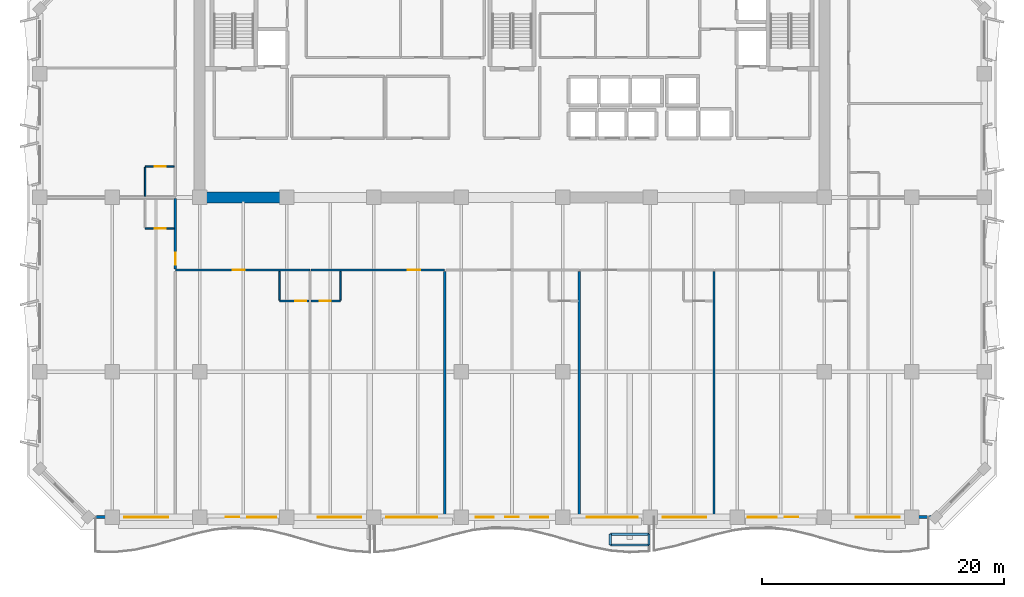
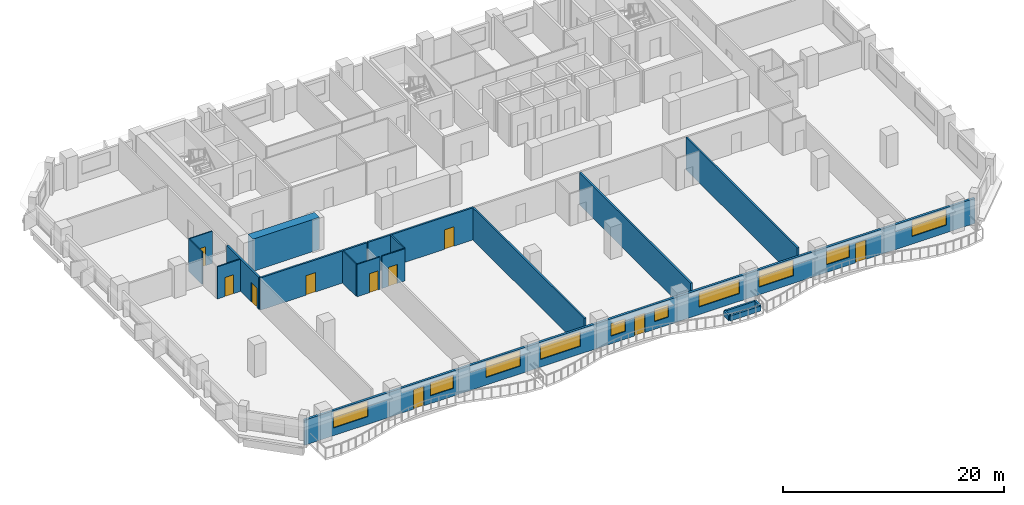
# One storey, part 4 of 14: 19 walls, 10 doors, 10 windows, 20 openings.
"""IFC4 building model written with IfcOpenShell, lengths in metres."""

from ifc_helpers import new_model, si_unit, direction, frame, frame_2d, origin, place, context, subcontext, project, spatial, rectangle, extrude, material, layer, layer_set, type_object, element, fill, save


model = new_model("IFC4")

# Units and contexts
model_context = context("Model", 3, precision=1e-05, world=origin(), true_north=direction((0.0, 1.0)))
body_context = subcontext(model_context, "Body", "Model", "MODEL_VIEW")
ifc_project = project(units=[si_unit("LENGTHUNIT", "METRE"), si_unit("AREAUNIT", "SQUARE_METRE"), si_unit("VOLUMEUNIT", "CUBIC_METRE"), si_unit("PLANEANGLEUNIT", "RADIAN"), si_unit("MASSUNIT", "GRAM", prefix="KILO")], contexts=[model_context])

# Site, building, storey
site_placement = place(None, origin())
site = spatial("IfcSite", under=ifc_project, at=site_placement, CompositionType="ELEMENT")
building_placement = place(site_placement, origin())
building = spatial("IfcBuilding", under=site, at=building_placement, Name="Kaelvorn Grand Hotel", CompositionType="ELEMENT")
storey_placement = place(building_placement, frame((0.0, 0.0, 209.14990234375)))
storey = spatial("IfcBuildingStorey", under=building, at=storey_placement, Name="L51", CompositionType="ELEMENT", Elevation=209.14990234375)

# Wall
ifc_material_1 = material(Name="Concrete C60/75", Category="concrete")
ifc_layer_1 = layer(ifc_material_1, 0.89990234375)
ifc_layer_set_1 = layer_set([ifc_layer_1], Name="Concrete C60/75")
wall_type_1 = type_object("IfcWallType", Name="WL-CORE-900-C60", PredefinedType="SHEAR", material=ifc_layer_set_1)
wall_1_placement = place(storey_placement, frame((16.655029296875, 29.39990234375, 0.0), z_axis=(0.0, 0.0, 1.0), x_axis=(1.0, 0.0, 0.0)))
element("IfcWall", 1, at=wall_1_placement, inside=storey, type_object=wall_type_1, Name="L51 Rear-Core Coupled Shear Pier S1", PredefinedType="SHEAR", context=body_context, shape_type="SweptSolid", body=[
    extrude(rectangle(XDim=6.945068359375, YDim=0.89990234375, at=frame_2d((3.47265625, 0.0))), origin(), (0.0, 0.0, 1.0), 3.56005859375),
])

# Wall, openings, doors, windows
ifc_material_2 = material(Name="Concrete C40/50", Category="concrete")
ifc_layer_2 = layer(ifc_material_2, 0.239990234375)
ifc_layer_set_2 = layer_set([ifc_layer_2], Name="Concrete C40/50")
wall_type_2 = type_object("IfcWallType", Name="WL-EXT-240-C40", PredefinedType="SOLIDWALL", material=ifc_layer_set_2)
wall_2_placement = place(storey_placement, frame((7.0, 3.0, 0.0), z_axis=(0.0, 0.0, 1.0), x_axis=(1.0, 0.0, 0.0)))
wall_2 = element("IfcWall", 2, at=wall_2_placement, inside=storey, type_object=wall_type_2, Name="L51 Exterior Architectural Concrete Wall 01", PredefinedType="SOLIDWALL", context=body_context, shape_type="SweptSolid", body=[
    extrude(rectangle(XDim=70.0, YDim=0.239990234375, at=frame_2d((35.0, 0.0))), origin(), (0.0, 0.0, 1.0), 2.760009765625),
])
opening_1_placement = place(wall_2_placement, frame((11.38330078125, 0.0, 0.0)))
opening_1 = element("IfcOpeningElement", 3, at=opening_1_placement, cuts=wall_2, Name="Opening DE2", PredefinedType="OPENING", context=body_context, shape_type="SweptSolid", body=[
    extrude(rectangle(XDim=1.10009765625, YDim=2.14990234375, at=frame_2d((0.550048828125, 1.074951171875))), frame((0.0, 0.1298828125, 0.0), z_axis=(0.0, -1.0, 0.0), x_axis=(1.0, 0.0, 0.0)), (0.0, 0.0, 1.0), 0.260009765625),
])
opening_2_placement = place(wall_2_placement, frame((34.449951171875, 0.0, 0.0)))
opening_2 = element("IfcOpeningElement", 4, at=opening_2_placement, cuts=wall_2, Name="Opening DE2", PredefinedType="OPENING", context=body_context, shape_type="SweptSolid", body=[
    extrude(rectangle(XDim=1.10009765625, YDim=2.14990234375, at=frame_2d((0.550048828125, 1.074951171875))), frame((0.0, 0.1298828125, 0.0), z_axis=(0.0, -1.0, 0.0), x_axis=(1.0, 0.0, 0.0)), (0.0, 0.0, 1.0), 0.260009765625),
])
opening_3_placement = place(wall_2_placement, frame((57.5166015625, 0.0, 0.0)))
opening_3 = element("IfcOpeningElement", 5, at=opening_3_placement, cuts=wall_2, Name="Opening DE2", PredefinedType="OPENING", context=body_context, shape_type="SweptSolid", body=[
    extrude(rectangle(XDim=1.10009765625, YDim=2.14990234375, at=frame_2d((0.550048828125, 1.074951171875))), frame((0.0, 0.1298828125, 0.0), z_axis=(0.0, -1.0, 0.0), x_axis=(1.0, 0.0, 0.0)), (0.0, 0.0, 1.0), 0.260009765625),
])
opening_4_placement = place(wall_2_placement, frame((3.0, 0.0, 0.85009765625)))
opening_4 = element("IfcOpeningElement", 6, at=opening_4_placement, cuts=wall_2, Name="Opening W3", PredefinedType="OPENING", context=body_context, shape_type="SweptSolid", body=[
    extrude(rectangle(XDim=3.60009765625, YDim=1.75, at=frame_2d((1.800048828125, 0.875))), frame((0.0, 0.1298828125, 0.0), z_axis=(0.0, -1.0, 0.0), x_axis=(1.0, 0.0, 0.0)), (0.0, 0.0, 1.0), 0.260009765625),
])
opening_5_placement = place(wall_2_placement, frame((13.126708984375, 0.0, 0.85009765625)))
opening_5 = element("IfcOpeningElement", 7, at=opening_5_placement, cuts=wall_2, Name="Opening W6", PredefinedType="OPENING", context=body_context, shape_type="SweptSolid", body=[
    extrude(rectangle(XDim=2.39990234375, YDim=1.5, at=frame_2d((1.199951171875, 0.75))), frame((0.0, 0.1298828125, 0.0), z_axis=(0.0, -1.0, 0.0), x_axis=(1.0, 0.0, 0.0)), (0.0, 0.0, 1.0), 0.260009765625),
])
opening_6_placement = place(wall_2_placement, frame((18.9599609375, 0.0, 0.85009765625)))
opening_6 = element("IfcOpeningElement", 8, at=opening_6_placement, cuts=wall_2, Name="Opening W3", PredefinedType="OPENING", context=body_context, shape_type="SweptSolid", body=[
    extrude(rectangle(XDim=3.60009765625, YDim=1.75, at=frame_2d((1.800048828125, 0.875))), frame((0.0, 0.1298828125, 0.0), z_axis=(0.0, -1.0, 0.0), x_axis=(1.0, 0.0, 0.0)), (0.0, 0.0, 1.0), 0.260009765625),
])
opening_7_placement = place(wall_2_placement, frame((24.6201171875, 0.0, 0.85009765625)))
opening_7 = element("IfcOpeningElement", 9, at=opening_7_placement, cuts=wall_2, Name="Opening W2", PredefinedType="OPENING", context=body_context, shape_type="SweptSolid", body=[
    extrude(rectangle(XDim=4.199951171875, YDim=1.64990234375, at=frame_2d((2.10009765625, 0.824951171875))), frame((0.0, 0.1298828125, 0.0), z_axis=(0.0, -1.0, 0.0), x_axis=(1.0, 0.0, 0.0)), (0.0, 0.0, 1.0), 0.260009765625),
])
opening_8_placement = place(wall_2_placement, frame((31.989990234375, 0.0, 0.85009765625)))
opening_8 = element("IfcOpeningElement", 10, at=opening_8_placement, cuts=wall_2, Name="Opening W10", PredefinedType="OPENING", context=body_context, shape_type="SweptSolid", body=[
    extrude(rectangle(XDim=1.5, YDim=1.39990234375, at=frame_2d((0.75, 0.699951171875))), frame((0.0, 0.1298828125, 0.0), z_axis=(0.0, -1.0, 0.0), x_axis=(1.0, 0.0, 0.0)), (0.0, 0.0, 1.0), 0.260009765625),
])
opening_9_placement = place(wall_2_placement, frame((36.510009765625, 0.0, 0.85009765625)))
opening_9 = element("IfcOpeningElement", 11, at=opening_9_placement, cuts=wall_2, Name="Opening W10", PredefinedType="OPENING", context=body_context, shape_type="SweptSolid", body=[
    extrude(rectangle(XDim=1.5, YDim=1.39990234375, at=frame_2d((0.75, 0.699951171875))), frame((0.0, 0.1298828125, 0.0), z_axis=(0.0, -1.0, 0.0), x_axis=(1.0, 0.0, 0.0)), (0.0, 0.0, 1.0), 0.260009765625),
])
opening_10_placement = place(wall_2_placement, frame((41.179931640625, 0.0, 0.85009765625)))
opening_10 = element("IfcOpeningElement", 12, at=opening_10_placement, cuts=wall_2, Name="Opening W2", PredefinedType="OPENING", context=body_context, shape_type="SweptSolid", body=[
    extrude(rectangle(XDim=4.199951171875, YDim=1.64990234375, at=frame_2d((2.10009765625, 0.824951171875))), frame((0.0, 0.1298828125, 0.0), z_axis=(0.0, -1.0, 0.0), x_axis=(1.0, 0.0, 0.0)), (0.0, 0.0, 1.0), 0.260009765625),
])
opening_11_placement = place(wall_2_placement, frame((47.43994140625, 0.0, 0.85009765625)))
opening_11 = element("IfcOpeningElement", 13, at=opening_11_placement, cuts=wall_2, Name="Opening W3", PredefinedType="OPENING", context=body_context, shape_type="SweptSolid", body=[
    extrude(rectangle(XDim=3.60009765625, YDim=1.75, at=frame_2d((1.800048828125, 0.875))), frame((0.0, 0.1298828125, 0.0), z_axis=(0.0, -1.0, 0.0), x_axis=(1.0, 0.0, 0.0)), (0.0, 0.0, 1.0), 0.260009765625),
])
opening_12_placement = place(wall_2_placement, frame((54.473388671875, 0.0, 0.85009765625)))
opening_12 = element("IfcOpeningElement", 14, at=opening_12_placement, cuts=wall_2, Name="Opening W6", PredefinedType="OPENING", context=body_context, shape_type="SweptSolid", body=[
    extrude(rectangle(XDim=2.39990234375, YDim=1.5, at=frame_2d((1.199951171875, 0.75))), frame((0.0, 0.1298828125, 0.0), z_axis=(0.0, -1.0, 0.0), x_axis=(1.0, 0.0, 0.0)), (0.0, 0.0, 1.0), 0.260009765625),
])
opening_13_placement = place(wall_2_placement, frame((63.39990234375, 0.0, 0.85009765625)))
opening_13 = element("IfcOpeningElement", 15, at=opening_13_placement, cuts=wall_2, Name="Opening W3", PredefinedType="OPENING", context=body_context, shape_type="SweptSolid", body=[
    extrude(rectangle(XDim=3.60009765625, YDim=1.75, at=frame_2d((1.800048828125, 0.875))), frame((0.0, 0.1298828125, 0.0), z_axis=(0.0, -1.0, 0.0), x_axis=(1.0, 0.0, 0.0)), (0.0, 0.0, 1.0), 0.260009765625),
])
ifc_material_3 = material(Name="Anodised Aluminium", Category="aluminium")
door_type_1 = type_object("IfcDoorType", Name="DR-EXT-BALC-1100x2150", OperationType="NOTDEFINED", PredefinedType="DOOR", material=ifc_material_3)
door_1_placement = place(opening_1_placement, origin())
door_1 = element("IfcDoor", 16, at=door_1_placement, inside=storey, type_object=door_type_1, Name="L51 Scalloped Balcony Glazed Door DE2-1", OperationType="SINGLE_SWING_RIGHT", OverallHeight=2.14990234375, OverallWidth=1.10009765625, PredefinedType="DOOR", context=body_context, shape_type="SweptSolid", body=[
    extrude(rectangle(XDim=1.10009765625, YDim=2.14990234375, at=frame_2d((0.550048828125, 1.074951171875))), frame((0.0, 0.02490234375, 0.0), z_axis=(0.0, -1.0, 0.0), x_axis=(1.0, 0.0, 0.0)), (0.0, 0.0, 1.0), 0.050048828125),
])
fill(opening_1, door_1)
door_2_placement = place(opening_2_placement, origin())
door_2 = element("IfcDoor", 17, at=door_2_placement, inside=storey, type_object=door_type_1, Name="L51 Scalloped Balcony Glazed Door DE2-2", OperationType="SINGLE_SWING_LEFT", OverallHeight=2.14990234375, OverallWidth=1.10009765625, PredefinedType="DOOR", context=body_context, shape_type="SweptSolid", body=[
    extrude(rectangle(XDim=1.10009765625, YDim=2.14990234375, at=frame_2d((0.550048828125, 1.074951171875))), frame((0.0, 0.02490234375, 0.0), z_axis=(0.0, -1.0, 0.0), x_axis=(1.0, 0.0, 0.0)), (0.0, 0.0, 1.0), 0.050048828125),
])
fill(opening_2, door_2)
door_3_placement = place(opening_3_placement, origin())
door_3 = element("IfcDoor", 18, at=door_3_placement, inside=storey, type_object=door_type_1, Name="L51 Scalloped Balcony Glazed Door DE2-3", OperationType="SINGLE_SWING_RIGHT", OverallHeight=2.14990234375, OverallWidth=1.10009765625, PredefinedType="DOOR", context=body_context, shape_type="SweptSolid", body=[
    extrude(rectangle(XDim=1.10009765625, YDim=2.14990234375, at=frame_2d((0.550048828125, 1.074951171875))), frame((0.0, 0.02490234375, 0.0), z_axis=(0.0, -1.0, 0.0), x_axis=(1.0, 0.0, 0.0)), (0.0, 0.0, 1.0), 0.050048828125),
])
fill(opening_3, door_3)
ifc_material_4 = material(Name="Laminated Low-E Glass", Category="glass")
window_type_1 = type_object("IfcWindowType", Name="WIN-COR-1500x1400", PartitioningType="SINGLE_PANEL", PredefinedType="WINDOW", material=ifc_material_4)
window_1_placement = place(opening_8_placement, origin())
window_1 = element("IfcWindow", 19, at=window_1_placement, inside=storey, type_object=window_type_1, Name="L51 South Guestroom Ribbon Window SR05", OverallHeight=1.39990234375, OverallWidth=1.5, PartitioningType="SINGLE_PANEL", PredefinedType="WINDOW", context=body_context, shape_type="SweptSolid", body=[
    extrude(rectangle(XDim=1.5, YDim=1.39990234375, at=frame_2d((0.75, 0.699951171875))), frame((0.0, 0.030029296875, 0.0), z_axis=(0.0, -1.0, 0.0), x_axis=(1.0, 0.0, 0.0)), (0.0, 0.0, 1.0), 0.06005859375),
])
fill(opening_8, window_1)
window_2_placement = place(opening_9_placement, origin())
window_2 = element("IfcWindow", 20, at=window_2_placement, inside=storey, type_object=window_type_1, Name="L51 South Guestroom Ribbon Window SR06", OverallHeight=1.39990234375, OverallWidth=1.5, PartitioningType="SINGLE_PANEL", PredefinedType="WINDOW", context=body_context, shape_type="SweptSolid", body=[
    extrude(rectangle(XDim=1.5, YDim=1.39990234375, at=frame_2d((0.75, 0.699951171875))), frame((0.0, 0.030029296875, 0.0), z_axis=(0.0, -1.0, 0.0), x_axis=(1.0, 0.0, 0.0)), (0.0, 0.0, 1.0), 0.06005859375),
])
fill(opening_9, window_2)
window_type_2 = type_object("IfcWindowType", Name="WIN-NTH-2400x1500", PartitioningType="SINGLE_PANEL", PredefinedType="WINDOW", material=ifc_material_4)
window_3_placement = place(opening_5_placement, origin())
window_3 = element("IfcWindow", 21, at=window_3_placement, inside=storey, type_object=window_type_2, Name="L51 South Guestroom Ribbon Window SR02", OverallHeight=1.5, OverallWidth=2.39990234375, PartitioningType="SINGLE_PANEL", PredefinedType="WINDOW", context=body_context, shape_type="SweptSolid", body=[
    extrude(rectangle(XDim=2.39990234375, YDim=1.5, at=frame_2d((1.199951171875, 0.75))), frame((0.0, 0.030029296875, 0.0), z_axis=(0.0, -1.0, 0.0), x_axis=(1.0, 0.0, 0.0)), (0.0, 0.0, 1.0), 0.06005859375),
])
fill(opening_5, window_3)
window_4_placement = place(opening_12_placement, origin())
window_4 = element("IfcWindow", 22, at=window_4_placement, inside=storey, type_object=window_type_2, Name="L51 South Guestroom Ribbon Window SR09", OverallHeight=1.5, OverallWidth=2.39990234375, PartitioningType="SINGLE_PANEL", PredefinedType="WINDOW", context=body_context, shape_type="SweptSolid", body=[
    extrude(rectangle(XDim=2.39990234375, YDim=1.5, at=frame_2d((1.199951171875, 0.75))), frame((0.0, 0.030029296875, 0.0), z_axis=(0.0, -1.0, 0.0), x_axis=(1.0, 0.0, 0.0)), (0.0, 0.0, 1.0), 0.06005859375),
])
fill(opening_12, window_4)
window_type_3 = type_object("IfcWindowType", Name="WIN-RIB-3600x1750", PartitioningType="SINGLE_PANEL", PredefinedType="WINDOW", material=ifc_material_4)
window_5_placement = place(opening_4_placement, origin())
window_5 = element("IfcWindow", 23, at=window_5_placement, inside=storey, type_object=window_type_3, Name="L51 South Guestroom Ribbon Window SR01", OverallHeight=1.75, OverallWidth=3.60009765625, PartitioningType="SINGLE_PANEL", PredefinedType="WINDOW", context=body_context, shape_type="SweptSolid", body=[
    extrude(rectangle(XDim=3.60009765625, YDim=1.75, at=frame_2d((1.800048828125, 0.875))), frame((0.0, 0.030029296875, 0.0), z_axis=(0.0, -1.0, 0.0), x_axis=(1.0, 0.0, 0.0)), (0.0, 0.0, 1.0), 0.06005859375),
])
fill(opening_4, window_5)
window_6_placement = place(opening_6_placement, origin())
window_6 = element("IfcWindow", 24, at=window_6_placement, inside=storey, type_object=window_type_3, Name="L51 South Guestroom Ribbon Window SR03", OverallHeight=1.75, OverallWidth=3.60009765625, PartitioningType="SINGLE_PANEL", PredefinedType="WINDOW", context=body_context, shape_type="SweptSolid", body=[
    extrude(rectangle(XDim=3.60009765625, YDim=1.75, at=frame_2d((1.800048828125, 0.875))), frame((0.0, 0.030029296875, 0.0), z_axis=(0.0, -1.0, 0.0), x_axis=(1.0, 0.0, 0.0)), (0.0, 0.0, 1.0), 0.06005859375),
])
fill(opening_6, window_6)
window_7_placement = place(opening_11_placement, origin())
window_7 = element("IfcWindow", 25, at=window_7_placement, inside=storey, type_object=window_type_3, Name="L51 South Guestroom Ribbon Window SR08", OverallHeight=1.75, OverallWidth=3.60009765625, PartitioningType="SINGLE_PANEL", PredefinedType="WINDOW", context=body_context, shape_type="SweptSolid", body=[
    extrude(rectangle(XDim=3.60009765625, YDim=1.75, at=frame_2d((1.800048828125, 0.875))), frame((0.0, 0.030029296875, 0.0), z_axis=(0.0, -1.0, 0.0), x_axis=(1.0, 0.0, 0.0)), (0.0, 0.0, 1.0), 0.06005859375),
])
fill(opening_11, window_7)
window_8_placement = place(opening_13_placement, origin())
window_8 = element("IfcWindow", 26, at=window_8_placement, inside=storey, type_object=window_type_3, Name="L51 South Guestroom Ribbon Window SR10", OverallHeight=1.75, OverallWidth=3.60009765625, PartitioningType="SINGLE_PANEL", PredefinedType="WINDOW", context=body_context, shape_type="SweptSolid", body=[
    extrude(rectangle(XDim=3.60009765625, YDim=1.75, at=frame_2d((1.800048828125, 0.875))), frame((0.0, 0.030029296875, 0.0), z_axis=(0.0, -1.0, 0.0), x_axis=(1.0, 0.0, 0.0)), (0.0, 0.0, 1.0), 0.06005859375),
])
fill(opening_13, window_8)
window_type_4 = type_object("IfcWindowType", Name="WIN-RIB-4200x1650", PartitioningType="SINGLE_PANEL", PredefinedType="WINDOW", material=ifc_material_4)
window_9_placement = place(opening_7_placement, origin())
window_9 = element("IfcWindow", 27, at=window_9_placement, inside=storey, type_object=window_type_4, Name="L51 South Guestroom Ribbon Window SR04", OverallHeight=1.64990234375, OverallWidth=4.199951171875, PartitioningType="SINGLE_PANEL", PredefinedType="WINDOW", context=body_context, shape_type="SweptSolid", body=[
    extrude(rectangle(XDim=4.199951171875, YDim=1.64990234375, at=frame_2d((2.10009765625, 0.824951171875))), frame((0.0, 0.030029296875, 0.0), z_axis=(0.0, -1.0, 0.0), x_axis=(1.0, 0.0, 0.0)), (0.0, 0.0, 1.0), 0.06005859375),
])
fill(opening_7, window_9)
window_10_placement = place(opening_10_placement, origin())
window_10 = element("IfcWindow", 28, at=window_10_placement, inside=storey, type_object=window_type_4, Name="L51 South Guestroom Ribbon Window SR07", OverallHeight=1.64990234375, OverallWidth=4.199951171875, PartitioningType="SINGLE_PANEL", PredefinedType="WINDOW", context=body_context, shape_type="SweptSolid", body=[
    extrude(rectangle(XDim=4.199951171875, YDim=1.64990234375, at=frame_2d((2.10009765625, 0.824951171875))), frame((0.0, 0.030029296875, 0.0), z_axis=(0.0, -1.0, 0.0), x_axis=(1.0, 0.0, 0.0)), (0.0, 0.0, 1.0), 0.06005859375),
])
fill(opening_10, window_10)

# Wall, opening, door
ifc_material_5 = material(Name="Moisture-Resistant Tile & Stud Board")
ifc_layer_3 = layer(ifc_material_5, 0.125)
ifc_layer_set_3 = layer_set([ifc_layer_3], Name="Moisture-Resistant Tile & Stud Board")
wall_type_3 = type_object("IfcWallType", Name="WL-PART-125-WET", PredefinedType="PARTITIONING", material=ifc_layer_set_3)
wall_3_placement = place(storey_placement, frame((22.820068359375, 20.85009765625, 0.0), z_axis=(0.0, 0.0, 1.0), x_axis=(1.0, 0.0, 0.0)))
wall_3 = element("IfcWall", 29, at=wall_3_placement, inside=storey, type_object=wall_type_3, Name="L51 En-suite Bathroom L51-01 S Partition", PredefinedType="PARTITIONING", context=body_context, shape_type="SweptSolid", body=[
    extrude(rectangle(XDim=2.405029296875, YDim=0.125, at=frame_2d((1.20263671875, 0.0))), origin(), (0.0, 0.0, 1.0), 3.56005859375),
])
opening_14_placement = place(wall_3_placement, frame((1.300048828125, 0.0, 0.0)))
opening_14 = element("IfcOpeningElement", 30, at=opening_14_placement, cuts=wall_3, Name="Opening DI4", PredefinedType="OPENING", context=body_context, shape_type="SweptSolid", body=[
    extrude(rectangle(XDim=0.89990234375, YDim=2.10009765625, at=frame_2d((0.449951171875, 1.050048828125))), frame((0.0, 0.072509765625, 0.0), z_axis=(0.0, -1.0, 0.0), x_axis=(1.0, 0.0, 0.0)), (0.0, 0.0, 1.0), 0.14501953125),
])
ifc_material_6 = material(Name="Timber Veneer Leaf", Category="wood")
door_type_2 = type_object("IfcDoorType", Name="DR-INT-BATH-900x2100", OperationType="NOTDEFINED", PredefinedType="DOOR", material=ifc_material_6)
door_4_placement = place(opening_14_placement, origin())
door_4 = element("IfcDoor", 31, at=door_4_placement, inside=storey, type_object=door_type_2, Name="L51 En-suite Bathroom L51-01 Door", OperationType="SINGLE_SWING_LEFT", OverallHeight=2.10009765625, OverallWidth=0.89990234375, PredefinedType="DOOR", context=body_context, shape_type="SweptSolid", body=[
    extrude(rectangle(XDim=0.89990234375, YDim=2.10009765625, at=frame_2d((0.449951171875, 1.050048828125))), frame((0.0, 0.02490234375, 0.0), z_axis=(0.0, -1.0, 0.0), x_axis=(1.0, 0.0, 0.0)), (0.0, 0.0, 1.0), 0.050048828125),
])
fill(opening_14, door_4)

# Wall
wall_4_placement = place(storey_placement, frame((22.820068359375, 20.91748046875, 0.0), z_axis=(0.0, 0.0, 1.0), x_axis=(0.0, 1.0, 0.0)))
element("IfcWall", 32, at=wall_4_placement, inside=storey, type_object=wall_type_3, Name="L51 En-suite Bathroom L51-01 W Partition", PredefinedType="PARTITIONING", context=body_context, shape_type="SweptSolid", body=[
    extrude(rectangle(XDim=2.387451171875, YDim=0.125, at=frame_2d((1.19384765625, 0.0))), origin(), (0.0, 0.0, 1.0), 3.56005859375),
])

# Wall, opening, door
wall_5_placement = place(storey_placement, frame((25.4150390625, 20.85009765625, 0.0), z_axis=(0.0, 0.0, 1.0), x_axis=(1.0, 0.0, 0.0)))
wall_5 = element("IfcWall", 33, at=wall_5_placement, inside=storey, type_object=wall_type_3, Name="L51 En-suite Bathroom L51-02 S Partition", PredefinedType="PARTITIONING", context=body_context, shape_type="SweptSolid", body=[
    extrude(rectangle(XDim=2.405029296875, YDim=0.125, at=frame_2d((1.20263671875, 0.0))), origin(), (0.0, 0.0, 1.0), 3.56005859375),
])
opening_15_placement = place(wall_5_placement, frame((0.705078125, 0.0, 0.0)))
opening_15 = element("IfcOpeningElement", 34, at=opening_15_placement, cuts=wall_5, Name="Opening DI4", PredefinedType="OPENING", context=body_context, shape_type="SweptSolid", body=[
    extrude(rectangle(XDim=0.89990234375, YDim=2.10009765625, at=frame_2d((0.449951171875, 1.050048828125))), frame((0.0, 0.072509765625, 0.0), z_axis=(0.0, -1.0, 0.0), x_axis=(1.0, 0.0, 0.0)), (0.0, 0.0, 1.0), 0.14501953125),
])
door_5_placement = place(opening_15_placement, origin())
door_5 = element("IfcDoor", 35, at=door_5_placement, inside=storey, type_object=door_type_2, Name="L51 En-suite Bathroom L51-02 Door", OperationType="SINGLE_SWING_LEFT", OverallHeight=2.10009765625, OverallWidth=0.89990234375, PredefinedType="DOOR", context=body_context, shape_type="SweptSolid", body=[
    extrude(rectangle(XDim=0.89990234375, YDim=2.10009765625, at=frame_2d((0.449951171875, 1.050048828125))), frame((0.0, 0.02490234375, 0.0), z_axis=(0.0, -1.0, 0.0), x_axis=(1.0, 0.0, 0.0)), (0.0, 0.0, 1.0), 0.050048828125),
])
fill(opening_15, door_5)

# Wall
wall_6_placement = place(storey_placement, frame((27.820068359375, 20.91748046875, 0.0), z_axis=(0.0, 0.0, 1.0), x_axis=(0.0, 1.0, 0.0)))
element("IfcWall", 36, at=wall_6_placement, inside=storey, type_object=wall_type_3, Name="L51 En-suite Bathroom L51-02 E Partition", PredefinedType="PARTITIONING", context=body_context, shape_type="SweptSolid", body=[
    extrude(rectangle(XDim=2.387451171875, YDim=0.125, at=frame_2d((1.19384765625, 0.0))), origin(), (0.0, 0.0, 1.0), 3.56005859375),
])

# Wall, opening, door
wall_7_placement = place(storey_placement, frame((11.699951171875, 26.85009765625, 0.0), z_axis=(0.0, 0.0, 1.0), x_axis=(1.0, 0.0, 0.0)))
wall_7 = element("IfcWall", 37, at=wall_7_placement, inside=storey, type_object=wall_type_3, Name="L51 En-suite Bathroom L51-06 S Partition", PredefinedType="PARTITIONING", context=body_context, shape_type="SweptSolid", body=[
    extrude(rectangle(XDim=2.405029296875, YDim=0.125, at=frame_2d((1.20263671875, 0.0))), origin(), (0.0, 0.0, 1.0), 3.56005859375),
])
opening_16_placement = place(wall_7_placement, frame((0.800048828125, 0.0, 0.0)))
opening_16 = element("IfcOpeningElement", 38, at=opening_16_placement, cuts=wall_7, Name="Opening DI4", PredefinedType="OPENING", context=body_context, shape_type="SweptSolid", body=[
    extrude(rectangle(XDim=0.89990234375, YDim=2.10009765625, at=frame_2d((0.449951171875, 1.050048828125))), frame((0.0, 0.072509765625, 0.0), z_axis=(0.0, -1.0, 0.0), x_axis=(1.0, 0.0, 0.0)), (0.0, 0.0, 1.0), 0.14501953125),
])
door_6_placement = place(opening_16_placement, origin())
door_6 = element("IfcDoor", 39, at=door_6_placement, inside=storey, type_object=door_type_2, Name="L51 En-suite Bathroom L51-06 Door", OperationType="SINGLE_SWING_LEFT", OverallHeight=2.10009765625, OverallWidth=0.89990234375, PredefinedType="DOOR", context=body_context, shape_type="SweptSolid", body=[
    extrude(rectangle(XDim=0.89990234375, YDim=2.10009765625, at=frame_2d((0.449951171875, 1.050048828125))), frame((0.0, 0.02490234375, 0.0), z_axis=(0.0, -1.0, 0.0), x_axis=(1.0, 0.0, 0.0)), (0.0, 0.0, 1.0), 0.050048828125),
])
fill(opening_16, door_6)

wall_8_placement = place(storey_placement, frame((11.699951171875, 31.949951171875, 0.0), z_axis=(0.0, 0.0, 1.0), x_axis=(1.0, 0.0, 0.0)))
wall_8 = element("IfcWall", 40, at=wall_8_placement, inside=storey, type_object=wall_type_3, Name="L51 En-suite Bathroom L51-08 N Partition", PredefinedType="PARTITIONING", context=body_context, shape_type="SweptSolid", body=[
    extrude(rectangle(XDim=2.405029296875, YDim=0.125, at=frame_2d((1.20263671875, 0.0))), origin(), (0.0, 0.0, 1.0), 3.56005859375),
])
opening_17_placement = place(wall_8_placement, frame((0.800048828125, 0.0, 0.0)))
opening_17 = element("IfcOpeningElement", 41, at=opening_17_placement, cuts=wall_8, Name="Opening DI4", PredefinedType="OPENING", context=body_context, shape_type="SweptSolid", body=[
    extrude(rectangle(XDim=0.89990234375, YDim=2.10009765625, at=frame_2d((0.449951171875, 1.050048828125))), frame((0.0, 0.072509765625, 0.0), z_axis=(0.0, -1.0, 0.0), x_axis=(1.0, 0.0, 0.0)), (0.0, 0.0, 1.0), 0.14501953125),
])
door_7_placement = place(opening_17_placement, origin())
door_7 = element("IfcDoor", 42, at=door_7_placement, inside=storey, type_object=door_type_2, Name="L51 En-suite Bathroom L51-08 Door", OperationType="SINGLE_SWING_LEFT", OverallHeight=2.10009765625, OverallWidth=0.89990234375, PredefinedType="DOOR", context=body_context, shape_type="SweptSolid", body=[
    extrude(rectangle(XDim=0.89990234375, YDim=2.10009765625, at=frame_2d((0.449951171875, 1.050048828125))), frame((0.0, 0.02490234375, 0.0), z_axis=(0.0, -1.0, 0.0), x_axis=(1.0, 0.0, 0.0)), (0.0, 0.0, 1.0), 0.050048828125),
])
fill(opening_17, door_7)

# Wall
wall_9_placement = place(storey_placement, frame((11.699951171875, 29.4951171875, 0.0), z_axis=(0.0, 0.0, 1.0), x_axis=(0.0, 1.0, 0.0)))
element("IfcWall", 43, at=wall_9_placement, inside=storey, type_object=wall_type_3, Name="L51 En-suite Bathroom L51-08 W Partition", PredefinedType="PARTITIONING", context=body_context, shape_type="SweptSolid", body=[
    extrude(rectangle(XDim=2.387451171875, YDim=0.125, at=frame_2d((1.19384765625, 0.0))), origin(), (0.0, 0.0, 1.0), 3.56005859375),
])

# Wall, opening, door
ifc_material_7 = material(Name="Acoustic Gypsum & Stud Partition")
ifc_layer_4 = layer(ifc_material_7, 0.179931640625)
ifc_layer_set_4 = layer_set([ifc_layer_4], Name="Acoustic Gypsum & Stud Partition")
wall_type_4 = type_object("IfcWallType", Name="WL-PART-180-EI60", PredefinedType="PARTITIONING", material=ifc_layer_set_4)
wall_10_placement = place(storey_placement, frame((14.199951171875, 23.39990234375, 0.0), z_axis=(0.0, 0.0, 1.0), x_axis=(1.0, 0.0, 0.0)))
wall_10 = element("IfcWall", 44, at=wall_10_placement, inside=storey, type_object=wall_type_4, Name="L51 Mid-Rise Signature Suite L51-01 N Partition", PredefinedType="PARTITIONING", context=body_context, shape_type="SweptSolid", body=[
    extrude(rectangle(XDim=11.1201171875, YDim=0.179931640625, at=frame_2d((5.56005859375, 0.0))), origin(), (0.0, 0.0, 1.0), 3.56005859375),
])
opening_18_placement = place(wall_10_placement, frame((4.75, 0.0, 0.0)))
opening_18 = element("IfcOpeningElement", 45, at=opening_18_placement, cuts=wall_10, Name="Opening DI3", PredefinedType="OPENING", context=body_context, shape_type="SweptSolid", body=[
    extrude(rectangle(XDim=1.0, YDim=2.14990234375, at=frame_2d((0.5, 1.074951171875))), frame((0.0, 0.10009765625, 0.0), z_axis=(0.0, -1.0, 0.0), x_axis=(1.0, 0.0, 0.0)), (0.0, 0.0, 1.0), 0.199951171875),
])
ifc_material_8 = material(Name="Timber Veneer Fire Leaf", Category="wood")
door_type_3 = type_object("IfcDoorType", Name="DR-INT-GUEST-1000x2150", OperationType="NOTDEFINED", PredefinedType="DOOR", material=ifc_material_8)
door_8_placement = place(opening_18_placement, origin())
door_8 = element("IfcDoor", 46, at=door_8_placement, inside=storey, type_object=door_type_3, Name="L51 Mid-Rise Signature Suite L51-01 Door", OperationType="SINGLE_SWING_RIGHT", OverallHeight=2.14990234375, OverallWidth=1.0, PredefinedType="DOOR", context=body_context, shape_type="SweptSolid", body=[
    extrude(rectangle(XDim=1.0, YDim=2.14990234375, at=frame_2d((0.5, 1.074951171875))), frame((0.0, 0.02490234375, 0.0), z_axis=(0.0, -1.0, 0.0), x_axis=(1.0, 0.0, 0.0)), (0.0, 0.0, 1.0), 0.050048828125),
])
fill(opening_18, door_8)

wall_11_placement = place(storey_placement, frame((25.4150390625, 23.39990234375, 0.0), z_axis=(0.0, 0.0, 1.0), x_axis=(1.0, 0.0, 0.0)))
wall_11 = element("IfcWall", 47, at=wall_11_placement, inside=storey, type_object=wall_type_4, Name="L51 Mid-Rise Signature Suite L51-02 N Partition", PredefinedType="PARTITIONING", context=body_context, shape_type="SweptSolid", body=[
    extrude(rectangle(XDim=11.02490234375, YDim=0.179931640625, at=frame_2d((5.512451171875, 0.0))), origin(), (0.0, 0.0, 1.0), 3.56005859375),
])
opening_19_placement = place(wall_11_placement, frame((7.9951171875, 0.0, 0.0)))
opening_19 = element("IfcOpeningElement", 48, at=opening_19_placement, cuts=wall_11, Name="Opening DI3", PredefinedType="OPENING", context=body_context, shape_type="SweptSolid", body=[
    extrude(rectangle(XDim=1.0, YDim=2.14990234375, at=frame_2d((0.5, 1.074951171875))), frame((0.0, 0.10009765625, 0.0), z_axis=(0.0, -1.0, 0.0), x_axis=(1.0, 0.0, 0.0)), (0.0, 0.0, 1.0), 0.199951171875),
])
door_9_placement = place(opening_19_placement, origin())
door_9 = element("IfcDoor", 49, at=door_9_placement, inside=storey, type_object=door_type_3, Name="L51 Mid-Rise Signature Suite L51-02 Door", OperationType="SINGLE_SWING_RIGHT", OverallHeight=2.14990234375, OverallWidth=1.0, PredefinedType="DOOR", context=body_context, shape_type="SweptSolid", body=[
    extrude(rectangle(XDim=1.0, YDim=2.14990234375, at=frame_2d((0.5, 1.074951171875))), frame((0.0, 0.02490234375, 0.0), z_axis=(0.0, -1.0, 0.0), x_axis=(1.0, 0.0, 0.0)), (0.0, 0.0, 1.0), 0.050048828125),
])
fill(opening_19, door_9)

# Walls
for number, where, z_axis, x_axis, name in (
    (50, (36.43994140625, 3.14990234375, 0.0), (0.0, 0.0, 1.0), (0.0, 1.0, 0.0), "L51 Mid-Rise Signature Suite L51-02 E Partition"),
    (51, (47.56005859375, 3.14990234375, 0.0), (0.0, 0.0, 1.0), (0.0, 1.0, 0.0), "L51 Mid-Rise Signature Suite L51-03 E Partition"),
    (52, (58.679931640625, 3.14990234375, 0.0), (0.0, 0.0, 1.0), (0.0, 1.0, 0.0), "L51 Mid-Rise Signature Suite L51-04 E Partition"),
):
    element("IfcWall", number, at=place(storey_placement, frame(where, z_axis=z_axis, x_axis=x_axis)), inside=storey, type_object=wall_type_4, Name=name, PredefinedType="PARTITIONING", context=body_context, shape_type="SweptSolid", body=[
        extrude(rectangle(XDim=20.155029296875, YDim=0.179931640625, at=frame_2d((10.07763671875, 0.0))), origin(), (0.0, 0.0, 1.0), 3.56005859375),
    ])

# Wall, opening, door
wall_12_placement = place(storey_placement, frame((14.199951171875, 23.4951171875, 0.0), z_axis=(0.0, 0.0, 1.0), x_axis=(0.0, 1.0, 0.0)))
wall_12 = element("IfcWall", 53, at=wall_12_placement, inside=storey, type_object=wall_type_4, Name="L51 Presidential Sky Suite L51-06 E Partition", PredefinedType="PARTITIONING", context=body_context, shape_type="SweptSolid", body=[
    extrude(rectangle(XDim=5.809814453125, YDim=0.179931640625, at=frame_2d((2.90478515625, 0.0))), origin(), (0.0, 0.0, 1.0), 3.56005859375),
])
opening_20_placement = place(wall_12_placement, frame((0.35498046875, 0.0, 0.0)))
opening_20 = element("IfcOpeningElement", 54, at=opening_20_placement, cuts=wall_12, Name="Opening DI3", PredefinedType="OPENING", context=body_context, shape_type="SweptSolid", body=[
    extrude(rectangle(XDim=1.0, YDim=2.14990234375, at=frame_2d((0.5, 1.074951171875))), frame((0.0, 0.10009765625, 0.0), z_axis=(0.0, -1.0, 0.0), x_axis=(1.0, 0.0, 0.0)), (0.0, 0.0, 1.0), 0.199951171875),
])
door_10_placement = place(opening_20_placement, origin())
door_10 = element("IfcDoor", 55, at=door_10_placement, inside=storey, type_object=door_type_3, Name="L51 Presidential Sky Suite L51-06 Door", OperationType="SINGLE_SWING_RIGHT", OverallHeight=2.14990234375, OverallWidth=1.0, PredefinedType="DOOR", context=body_context, shape_type="SweptSolid", body=[
    extrude(rectangle(XDim=1.0, YDim=2.14990234375, at=frame_2d((0.5, 1.074951171875))), frame((0.0, 0.02490234375, 0.0), z_axis=(0.0, -1.0, 0.0), x_axis=(1.0, 0.0, 0.0)), (0.0, 0.0, 1.0), 0.050048828125),
])
fill(opening_20, door_10)

# Walls
ifc_layer_5 = layer(ifc_material_2, 0.199951171875)
ifc_layer_set_5 = layer_set([ifc_layer_5], Name="Concrete C40/50")
wall_type_5 = type_object("IfcWallType", Name="WL-TREE-PLANTER-200", PredefinedType="PARAPET", material=ifc_layer_set_5)
wall_13_placement = place(storey_placement, frame((50.1142578125, 0.699951171875, 0.0), z_axis=(0.0, 0.0, 1.0), x_axis=(1.0, 0.0, 0.0)))
element("IfcWall", 56, at=wall_13_placement, inside=storey, type_object=wall_type_5, Name="L51 Planted Balcony Structural TREE PLANTER Kerb 1-S", PredefinedType="PARAPET", context=body_context, shape_type="SweptSolid", body=[
    extrude(rectangle(XDim=3.199951171875, YDim=0.199951171875, at=frame_2d((1.60009765625, 0.0))), origin(), (0.0, 0.0, 1.0), 0.550048828125),
])
wall_14_placement = place(storey_placement, frame((53.314208984375, 0.699951171875, 0.0), z_axis=(0.0, 0.0, 1.0), x_axis=(0.0, 1.0, 0.0)))
element("IfcWall", 57, at=wall_14_placement, inside=storey, type_object=wall_type_5, Name="L51 Planted Balcony Structural TREE PLANTER Kerb 1-E", PredefinedType="PARAPET", context=body_context, shape_type="SweptSolid", body=[
    extrude(rectangle(XDim=0.900146484375, YDim=0.199951171875, at=frame_2d((0.4501953125, 0.0))), origin(), (0.0, 0.0, 1.0), 0.550048828125),
])
wall_15_placement = place(storey_placement, frame((53.314208984375, 1.60009765625, 0.0), z_axis=(0.0, 0.0, 1.0), x_axis=(-1.0, 0.0, 0.0)))
element("IfcWall", 58, at=wall_15_placement, inside=storey, type_object=wall_type_5, Name="L51 Planted Balcony Structural TREE PLANTER Kerb 1-N", PredefinedType="PARAPET", context=body_context, shape_type="SweptSolid", body=[
    extrude(rectangle(XDim=3.199951171875, YDim=0.199951171875, at=frame_2d((1.60009765625, 0.0))), origin(), (0.0, 0.0, 1.0), 0.550048828125),
])
wall_16_placement = place(storey_placement, frame((50.1142578125, 1.60009765625, 0.0), z_axis=(0.0, 0.0, 1.0), x_axis=(0.0, -1.0, 0.0)))
element("IfcWall", 59, at=wall_16_placement, inside=storey, type_object=wall_type_5, Name="L51 Planted Balcony Structural TREE PLANTER Kerb 1-W", PredefinedType="PARAPET", context=body_context, shape_type="SweptSolid", body=[
    extrude(rectangle(XDim=0.900146484375, YDim=0.199951171875, at=frame_2d((0.4501953125, 0.0))), origin(), (0.0, 0.0, 1.0), 0.550048828125),
])

save(model, "model.ifc")
